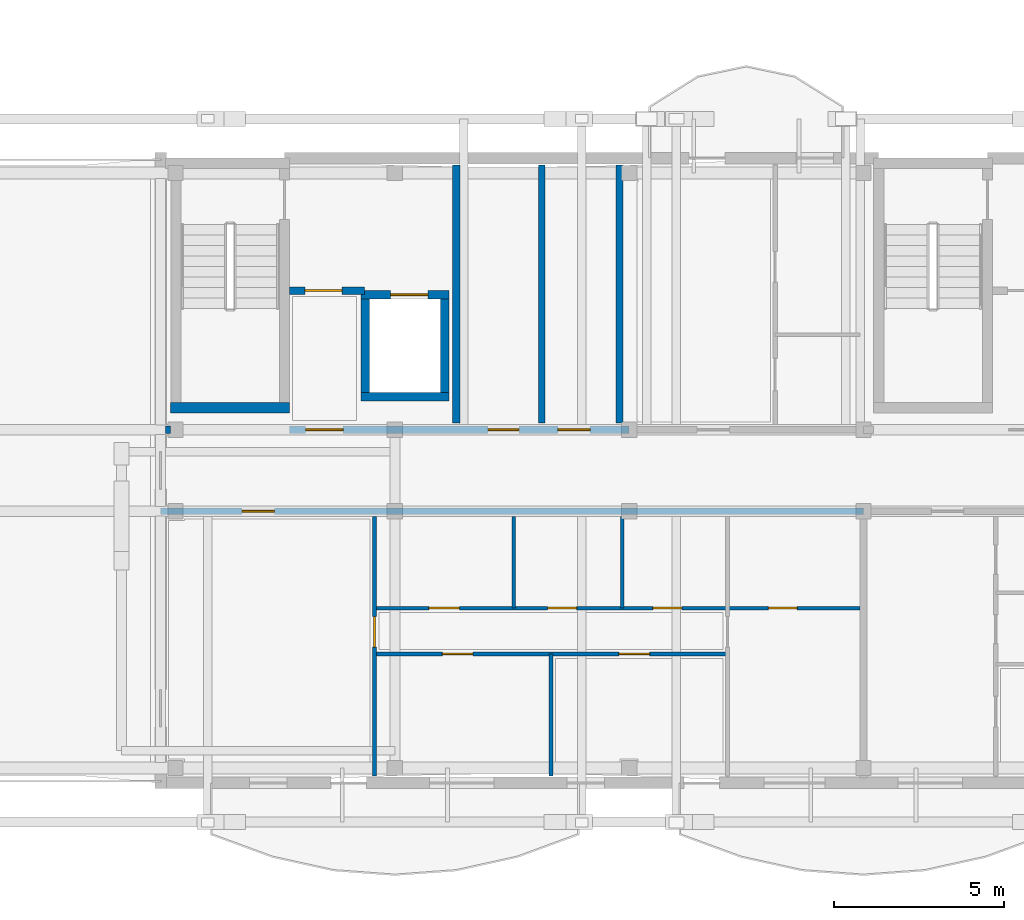
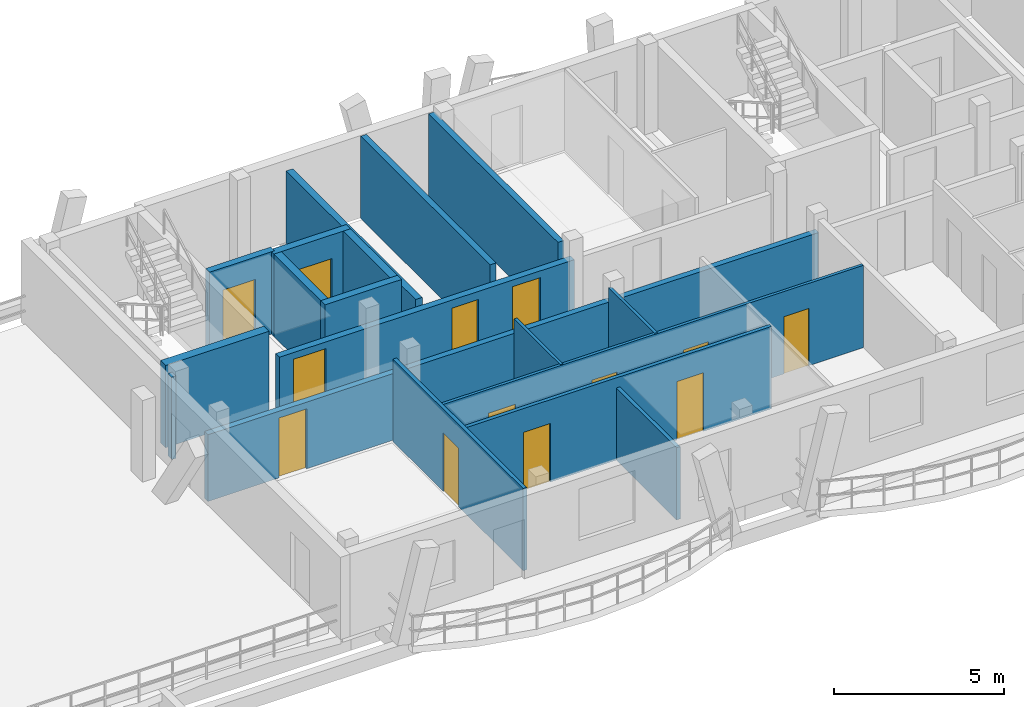
# One storey, part 28 of 48: 18 walls, 13 doors, 13 openings.
"""IFC4 building model written with IfcOpenShell, lengths in metres."""

import ifcopenshell
import ifcopenshell.guid

model = None  # the IFC model being written
_history = None  # IfcOwnerHistory: only IFC2X3 demands one
_inside = {}  # id of a spatial element -> (the spatial element, [elements in it])
_under = {}  # id of a project, library or spatial element -> (it, [spatial elements below it])
_declared = {}  # id of a project -> (the project, [libraries it declares])
_typed = {}  # id of a type object -> (the type object, [elements of that type])
_made_of = {}  # id of a material, layer set ... -> (it, [elements and type objects made of it])


def new_model(schema):
    """Start an empty IFC model of exactly this schema.

    Asked for "IFC4X3", IfcOpenShell would pick the latest addendum, in which some entities
    have other attributes; the version numbers below select the first issue.
    IFC2X3 requires an IfcOwnerHistory on every rooted entity: one is made here for all.
    """
    global model, _history
    if schema == "IFC4X3":
        model = ifcopenshell.file(schema_version=(4, 3, 0, 0))
    else:
        model = ifcopenshell.file(schema=schema)
    _inside.clear()
    _under.clear()
    _declared.clear()
    _typed.clear()
    _made_of.clear()
    _history = None
    if model.schema == "IFC2X3":
        org = make("IfcOrganization", Name="unknown")
        user = make(
            "IfcPersonAndOrganization",
            ThePerson=make("IfcPerson", FamilyName="unknown"),
            TheOrganization=org,
        )
        app = make(
            "IfcApplication",
            ApplicationDeveloper=org,
            Version="unknown",
            ApplicationFullName="unknown",
            ApplicationIdentifier="unknown",
        )
        _history = make(
            "IfcOwnerHistory",
            OwningUser=user,
            OwningApplication=app,
            ChangeAction="ADDED",
            CreationDate=0,
        )
    return model


def make(cls, **values):
    """One entity of the class cls with the attributes given. An attribute that is None is left unset."""
    return model.create_entity(
        cls, **{name: value for name, value in values.items() if value is not None}
    )


def rooted(cls, **values):
    """An entity with a GlobalId (a new one), such as an element, a storey or a relation."""
    return make(cls, GlobalId=ifcopenshell.guid.new(), OwnerHistory=_history, **values)


def si_unit(unit_type, name, prefix=None):
    """IfcSIUnit, for example si_unit("LENGTHUNIT", "METRE", prefix="MILLI")."""
    return make("IfcSIUnit", UnitType=unit_type, Prefix=prefix, Name=name)


def assignment(units):
    """IfcUnitAssignment: the units of a project."""
    return None if units is None else make("IfcUnitAssignment", Units=units)


def point(xyz):
    """IfcCartesianPoint."""
    return None if xyz is None else make("IfcCartesianPoint", Coordinates=xyz)


def direction(xyz):
    """IfcDirection."""
    return None if xyz is None else make("IfcDirection", DirectionRatios=xyz)


def frame(location, z_axis=None, x_axis=None):
    """IfcAxis2Placement3D, a coordinate frame: its origin and axes. An axis left out is left unset."""
    return make(
        "IfcAxis2Placement3D",
        Location=point(location),
        Axis=direction(z_axis),
        RefDirection=direction(x_axis),
    )


def frame_2d(location, x_axis=None):
    """IfcAxis2Placement2D, a coordinate frame in the plane: its origin and x axis."""
    return make(
        "IfcAxis2Placement2D", Location=point(location), RefDirection=direction(x_axis)
    )


def origin():
    """The frame at (0, 0, 0) with its axes left unset."""
    return frame((0.0, 0.0, 0.0))


def origin_with_axes():
    """The frame at (0, 0, 0) with the z axis (0, 0, 1) and the x axis (1, 0, 0) written out."""
    return frame((0.0, 0.0, 0.0), z_axis=(0.0, 0.0, 1.0), x_axis=(1.0, 0.0, 0.0))


def place(relative_to, where):
    """IfcLocalPlacement: puts the frame where relative to a parent placement (None: the world)."""
    return make(
        "IfcLocalPlacement", PlacementRelTo=relative_to, RelativePlacement=where
    )


def context(
    kind, dimensions, precision=None, world=None, true_north=None, identifier=None
):
    """IfcGeometricRepresentationContext, for example the 3D "Model" context."""
    return make(
        "IfcGeometricRepresentationContext",
        ContextIdentifier=identifier,
        ContextType=kind,
        CoordinateSpaceDimension=dimensions,
        Precision=precision,
        WorldCoordinateSystem=world,
        TrueNorth=true_north,
    )


def subcontext(parent, identifier, kind, view, scale=None):
    """IfcGeometricRepresentationSubContext, for example "Body" below "Model"."""
    return make(
        "IfcGeometricRepresentationSubContext",
        ContextIdentifier=identifier,
        ContextType=kind,
        ParentContext=parent,
        TargetScale=scale,
        TargetView=view,
    )


def project(units=None, contexts=None):
    """IfcProject with its units and contexts."""
    return rooted(
        "IfcProject",
        Name="project",
        RepresentationContexts=contexts,
        UnitsInContext=assignment(units),
    )


def spatial(cls, under=None, at=None, **own):
    """A site, building, storey or space (cls), placed at a placement, below another one or the project."""
    s = rooted(cls, ObjectPlacement=at, **own)
    if under is not None:
        _under.setdefault(under.id(), (under, []))[1].append(s)
    return s


def profile(cls, at=None, kind="AREA", **sizes):
    """A parametric profile (cls). Its sizes go by their IFC names, for example OverallWidth=200.0."""
    return make(cls, ProfileType=kind, Position=at, **sizes)


def rectangle(**sizes):
    """IfcRectangleProfileDef."""
    return profile("IfcRectangleProfileDef", **sizes)


def extrude(swept, where, along, depth):
    """IfcExtrudedAreaSolid: the profile swept, set in the frame where, extruded along a direction by depth."""
    return make(
        "IfcExtrudedAreaSolid",
        SweptArea=swept,
        Position=where,
        ExtrudedDirection=direction(along),
        Depth=depth,
    )


def shape(context_of_items, identifier, shape_type, items):
    """IfcShapeRepresentation: the items that make up one representation, for example the "Body"."""
    return make(
        "IfcShapeRepresentation",
        ContextOfItems=context_of_items,
        RepresentationIdentifier=identifier,
        RepresentationType=shape_type,
        Items=items,
    )


def material(Name=None, Category=None):
    """IfcMaterial."""
    return make("IfcMaterial", Name=Name, Category=Category)


def layer(
    of_material, thickness, ventilated=None, Name=None, Category=None, Priority=None
):
    """IfcMaterialLayer: one layer of a wall or slab, of a material (None: an air gap)."""
    return make(
        "IfcMaterialLayer",
        Material=of_material,
        LayerThickness=thickness,
        IsVentilated=ventilated,
        Name=Name,
        Category=Category,
        Priority=Priority,
    )


def layer_set(layers, Name=None):
    """IfcMaterialLayerSet."""
    return make("IfcMaterialLayerSet", MaterialLayers=layers, LayerSetName=Name)


def made_of(thing, what):
    """Note that an element or type object is made of a material, layer set ...; save() writes the relation."""
    if what is not None:
        _made_of.setdefault(what.id(), (what, []))[1].append(thing)
    return thing


def type_object(cls, material=None, **own):
    """A type object (cls), such as IfcWallType, which elements share."""
    return made_of(rooted(cls, **own), material)


def element(
    cls,
    number,
    at=None,
    inside=None,
    cuts=None,
    type_object=None,
    material=None,
    context=None,
    identifier="Body",
    shape_type=None,
    held_by="IfcProductDefinitionShape",
    body=None,
    shapes=None,
    **own,
):
    """One element of the class cls, such as IfcWall. Its Tag is "e" and its number.

    at: its placement. inside: the storey or other place that contains it. cuts: it is an
    opening in that element (IfcRelVoidsElement). A single representation is given by context,
    identifier, shape_type and body (its items); several are given by shapes. held_by: the class
    of the entity that holds the representations. save() writes the other relations.
    """
    e = rooted(cls, Tag="e%d" % number, ObjectPlacement=at, **own)
    if body is not None:
        shapes = [shape(context, identifier, shape_type, body)]
    if shapes is not None:
        e.Representation = make(held_by, Representations=shapes)
    if inside is not None:
        _inside.setdefault(inside.id(), (inside, []))[1].append(e)
    if cuts is not None:
        rooted(
            "IfcRelVoidsElement", RelatingBuildingElement=cuts, RelatedOpeningElement=e
        )
    if type_object is not None:
        _typed.setdefault(type_object.id(), (type_object, []))[1].append(e)
    return made_of(e, material)


def fill(opening, filler):
    """IfcRelFillsElement: the door or window that sits in an opening."""
    return rooted(
        "IfcRelFillsElement",
        RelatingOpeningElement=opening,
        RelatedBuildingElement=filler,
    )


def aggregate(whole, parts):
    """IfcRelAggregates: a whole, such as a stair, and the parts it consists of."""
    return rooted("IfcRelAggregates", RelatingObject=whole, RelatedObjects=parts)


def save(model, path):
    """Write the relations noted so far, then the file.

    IfcRelAggregates (storeys below a building ...), IfcRelContainedInSpatialStructure (elements
    in a storey), IfcRelDefinesByType, IfcRelAssociatesMaterial and IfcRelDeclares: one each for
    every whole, place, type object, material and project.
    """
    for whole, parts in _under.values():
        aggregate(whole, parts)
    for where, things in _inside.values():
        rooted(
            "IfcRelContainedInSpatialStructure",
            RelatedElements=things,
            RelatingStructure=where,
        )
    for kind, things in _typed.values():
        rooted("IfcRelDefinesByType", RelatedObjects=things, RelatingType=kind)
    for what, things in _made_of.values():
        rooted("IfcRelAssociatesMaterial", RelatedObjects=things, RelatingMaterial=what)
    for by, libraries in _declared.values():
        rooted("IfcRelDeclares", RelatingContext=by, RelatedDefinitions=libraries)
    model.write(path)


model = new_model("IFC4")

# Units and contexts
model_context = context("Model", 3, precision=1e-05, world=origin(), true_north=direction((0.0, 1.0)))
body_context = subcontext(model_context, "Body", "Model", "MODEL_VIEW")
ifc_project = project(units=[si_unit("LENGTHUNIT", "METRE"), si_unit("AREAUNIT", "SQUARE_METRE"), si_unit("VOLUMEUNIT", "CUBIC_METRE"), si_unit("PLANEANGLEUNIT", "RADIAN"), si_unit("MASSUNIT", "GRAM", prefix="KILO")], contexts=[model_context])

# Site, building, storey
site_placement = place(None, origin())
site = spatial("IfcSite", under=ifc_project, at=site_placement, CompositionType="ELEMENT")
building_placement = place(site_placement, origin())
building = spatial("IfcBuilding", under=site, at=building_placement, Name="Zavelmont Quarter", CompositionType="ELEMENT")
storey_placement = place(building_placement, frame((0.0, 0.0, 17.60009765625)))
storey = spatial("IfcBuildingStorey", under=building, at=storey_placement, Name="L05", CompositionType="ELEMENT", Elevation=17.60009765625)

# Walls
ifc_material_1 = material(Name="Calcium-silicate blockwork and acoustic plaster", Category="masonry")
ifc_layer_1 = layer(ifc_material_1, 0.199951171875)
ifc_layer_set_1 = layer_set([ifc_layer_1], Name="Calcium-silicate blockwork and acoustic plaster")
wall_type_1 = type_object("IfcWallType", Name="IW01", PredefinedType="PARTITIONING", material=ifc_layer_set_1)
for number, where, z_axis, x_axis, name in (
    (1, (137.824951171875, 10.60009765625, 0.0), (0.0, 0.0, 1.0), (0.0, 1.0, 0.0), "L05 Service riser divider wall IW01"),
    (2, (140.1201171875, 10.60009765625, 0.0), (0.0, 0.0, 1.0), (0.0, 1.0, 0.0), "L05 Core service end wall IW01"),
):
    element("IfcWall", number, at=place(storey_placement, frame(where, z_axis=z_axis, x_axis=x_axis)), inside=storey, type_object=wall_type_1, Name=name, PredefinedType="PARTITIONING", context=body_context, shape_type="SweptSolid", body=[
        extrude(rectangle(XDim=7.599853515625, YDim=0.199951171875, at=frame_2d((3.7998046875, 0.0))), origin(), (0.0, 0.0, 1.0), 2.949951171875),
    ])

# Wall, opening, door
wall_1_placement = place(storey_placement, frame((126.60009765625, 8.0, 0.0), z_axis=(0.0, 0.0, 1.0), x_axis=(1.0, 0.0, 0.0)))
wall_1 = element("IfcWall", 3, at=wall_1_placement, inside=storey, type_object=wall_type_1, Name="L05 Corridor compartment wall IW01", PredefinedType="PARTITIONING", context=body_context, shape_type="SweptSolid", body=[
    extrude(rectangle(XDim=20.699951171875, YDim=0.199951171875, at=frame_2d((10.35009765625, 0.0))), origin(), (0.0, 0.0, 1.0), 2.389892578125),
])
opening_1_placement = place(wall_1_placement, frame((2.39990234375, 0.0, 0.0)))
opening_1 = element("IfcOpeningElement", 4, at=opening_1_placement, cuts=wall_1, Name="Opening DR02", PredefinedType="OPENING", context=body_context, shape_type="SweptSolid", body=[
    extrude(rectangle(XDim=0.949951171875, YDim=2.14990234375, at=frame_2d((0.47509765625, 1.074951171875))), frame((0.0, 0.11181640625, 0.0), z_axis=(0.0, -1.0, 0.0), x_axis=(1.0, 0.0, 0.0)), (0.0, 0.0, 1.0), 0.223876953125),
])
ifc_material_2 = material(Name="Solid-core oak fire leaf in steel frame", Category="steel")
door_type_1 = type_object("IfcDoorType", Name="DR02", OperationType="NOTDEFINED", PredefinedType="DOOR", material=ifc_material_2)
door_1_placement = place(opening_1_placement, frame((0.949951171875, 0.0, 0.0), z_axis=(0.0, 0.0, 1.0), x_axis=(-1.0, 0.0, 0.0)))
door_1 = element("IfcDoor", 5, at=door_1_placement, inside=storey, type_object=door_type_1, Name="L05 door DR02", OperationType="SINGLE_SWING_LEFT", OverallHeight=2.14990234375, OverallWidth=0.949951171875, PredefinedType="DOOR", context=body_context, shape_type="SweptSolid", body=[
    extrude(rectangle(XDim=0.949951171875, YDim=2.14990234375, at=frame_2d((0.47509765625, 1.074951171875))), frame((0.0, 0.02490234375, 0.0), z_axis=(0.0, -1.0, 0.0), x_axis=(1.0, 0.0, 0.0)), (0.0, 0.0, 1.0), 0.050048828125),
])
fill(opening_1, door_1)

# Wall
ifc_material_3 = material(Name="Reinforced masonry fire compartment wall", Category="masonry")
ifc_layer_2 = layer(ifc_material_3, 0.22509765625)
ifc_layer_set_2 = layer_set([ifc_layer_2], Name="Reinforced masonry fire compartment wall")
wall_type_2 = type_object("IfcWallType", Name="IW02", PredefinedType="PARTITIONING", material=ifc_layer_set_2)
wall_2_placement = place(storey_placement, frame((135.31005859375, 10.60009765625, 0.0), z_axis=(0.0, 0.0, 1.0), x_axis=(0.0, 1.0, 0.0)))
element("IfcWall", 6, at=wall_2_placement, inside=storey, type_object=wall_type_2, Name="L05 Firefighting lobby enclosure wall IW02", PredefinedType="PARTITIONING", context=body_context, shape_type="SweptSolid", body=[
    extrude(rectangle(XDim=7.599853515625, YDim=0.22509765625, at=frame_2d((3.7998046875, 0.0))), origin(), (0.0, 0.0, 1.0), 2.58984375),
])

# Wall, opening, door
wall_3_placement = place(storey_placement, frame((130.39990234375, 14.5, 0.0), z_axis=(0.0, 0.0, 1.0), x_axis=(1.0, 0.0, 0.0)))
wall_3 = element("IfcWall", 7, at=wall_3_placement, inside=storey, type_object=wall_type_2, Name="L05 Firefighting lobby threshold wall IW02", PredefinedType="PARTITIONING", context=body_context, shape_type="SweptSolid", body=[
    extrude(rectangle(XDim=2.2001953125, YDim=0.22509765625, at=frame_2d((1.10009765625, 0.0))), origin(), (0.0, 0.0, 1.0), 2.949951171875),
])
opening_2_placement = place(wall_3_placement, frame((0.449951171875, 0.0, 0.0)))
opening_2 = element("IfcOpeningElement", 8, at=opening_2_placement, cuts=wall_3, Name="Opening DR10", PredefinedType="OPENING", context=body_context, shape_type="SweptSolid", body=[
    extrude(rectangle(XDim=1.10009765625, YDim=2.14990234375, at=frame_2d((0.550048828125, 1.074951171875))), frame((0.0, 0.12451171875, 0.0), z_axis=(0.0, -1.0, 0.0), x_axis=(1.0, 0.0, 0.0)), (0.0, 0.0, 1.0), 0.2490234375),
])
ifc_material_4 = material(Name="Painted steel lobby fire door", Category="steel")
door_type_2 = type_object("IfcDoorType", Name="DR10", OperationType="NOTDEFINED", PredefinedType="DOOR", material=ifc_material_4)
door_2_placement = place(opening_2_placement, origin_with_axes())
door_2 = element("IfcDoor", 9, at=door_2_placement, inside=storey, type_object=door_type_2, Name="Firefighting lobby fire door", OperationType="SINGLE_SWING_LEFT", OverallHeight=2.14990234375, OverallWidth=1.10009765625, PredefinedType="DOOR", context=body_context, shape_type="SweptSolid", body=[
    extrude(rectangle(XDim=1.10009765625, YDim=2.14990234375, at=frame_2d((0.550048828125, 1.074951171875))), frame((0.0, 0.02490234375, 0.0), z_axis=(0.0, -1.0, 0.0), x_axis=(1.0, 0.0, 0.0)), (0.0, 0.0, 1.0), 0.050048828125),
])
fill(opening_2, door_2)

# Wall
wall_4_placement = place(storey_placement, frame((126.75, 10.39990234375, 0.0), z_axis=(0.0, 0.0, 1.0), x_axis=(1.0, 0.0, 0.0)))
element("IfcWall", 10, at=wall_4_placement, inside=storey, type_object=wall_type_2, Name="L05 Core corridor wall IW02", PredefinedType="PARTITIONING", context=body_context, shape_type="SweptSolid", body=[
    extrude(rectangle(XDim=0.14990234375, YDim=0.22509765625, at=frame_2d((0.074951171875, 0.0))), origin(), (0.0, 0.0, 1.0), 2.949951171875),
])

# Wall, openings, doors
wall_5_placement = place(storey_placement, frame((130.39990234375, 10.39990234375, 0.0), z_axis=(0.0, 0.0, 1.0), x_axis=(1.0, 0.0, 0.0)))
wall_5 = element("IfcWall", 11, at=wall_5_placement, inside=storey, type_object=wall_type_2, Name="L05 Core corridor fire wall IW02", PredefinedType="PARTITIONING", context=body_context, shape_type="SweptSolid", body=[
    extrude(rectangle(XDim=10.0, YDim=0.22509765625, at=frame_2d((5.0, 0.0))), origin(), (0.0, 0.0, 1.0), 2.389892578125),
])
opening_3_placement = place(wall_5_placement, frame((0.47509765625, 0.0, 0.0)))
opening_3 = element("IfcOpeningElement", 12, at=opening_3_placement, cuts=wall_5, Name="Opening DR10", PredefinedType="OPENING", context=body_context, shape_type="SweptSolid", body=[
    extrude(rectangle(XDim=1.10009765625, YDim=2.14990234375, at=frame_2d((0.550048828125, 1.074951171875))), frame((0.0, 0.12451171875, 0.0), z_axis=(0.0, -1.0, 0.0), x_axis=(1.0, 0.0, 0.0)), (0.0, 0.0, 1.0), 0.2490234375),
])
opening_4_placement = place(wall_5_placement, frame((5.85009765625, 0.0, 0.0)))
opening_4 = element("IfcOpeningElement", 13, at=opening_4_placement, cuts=wall_5, Name="Opening DR11", PredefinedType="OPENING", context=body_context, shape_type="SweptSolid", body=[
    extrude(rectangle(XDim=0.89990234375, YDim=2.10009765625, at=frame_2d((0.449951171875, 1.050048828125))), frame((0.0, 0.12451171875, 0.0), z_axis=(0.0, -1.0, 0.0), x_axis=(1.0, 0.0, 0.0)), (0.0, 0.0, 1.0), 0.2490234375),
])
opening_5_placement = place(wall_5_placement, frame((7.89990234375, 0.0, 0.0)))
opening_5 = element("IfcOpeningElement", 14, at=opening_5_placement, cuts=wall_5, Name="Opening DR02", PredefinedType="OPENING", context=body_context, shape_type="SweptSolid", body=[
    extrude(rectangle(XDim=0.949951171875, YDim=2.14990234375, at=frame_2d((0.47509765625, 1.074951171875))), frame((0.0, 0.12451171875, 0.0), z_axis=(0.0, -1.0, 0.0), x_axis=(1.0, 0.0, 0.0)), (0.0, 0.0, 1.0), 0.2490234375),
])
door_3_placement = place(opening_5_placement, frame((0.949951171875, 0.0, 0.0), z_axis=(0.0, 0.0, 1.0), x_axis=(-1.0, 0.0, 0.0)))
door_3 = element("IfcDoor", 15, at=door_3_placement, inside=storey, type_object=door_type_1, Name="Auxiliary store corridor door", OperationType="SINGLE_SWING_RIGHT", OverallHeight=2.14990234375, OverallWidth=0.949951171875, PredefinedType="DOOR", context=body_context, shape_type="SweptSolid", body=[
    extrude(rectangle(XDim=0.949951171875, YDim=2.14990234375, at=frame_2d((0.47509765625, 1.074951171875))), frame((0.0, 0.02490234375, 0.0), z_axis=(0.0, -1.0, 0.0), x_axis=(1.0, 0.0, 0.0)), (0.0, 0.0, 1.0), 0.050048828125),
])
fill(opening_5, door_3)
door_4_placement = place(opening_3_placement, origin_with_axes())
door_4 = element("IfcDoor", 16, at=door_4_placement, inside=storey, type_object=door_type_2, Name="Core vestibule fire door", OperationType="SINGLE_SWING_RIGHT", OverallHeight=2.14990234375, OverallWidth=1.10009765625, PredefinedType="DOOR", context=body_context, shape_type="SweptSolid", body=[
    extrude(rectangle(XDim=1.10009765625, YDim=2.14990234375, at=frame_2d((0.550048828125, 1.074951171875))), frame((0.0, 0.02490234375, 0.0), z_axis=(0.0, -1.0, 0.0), x_axis=(1.0, 0.0, 0.0)), (0.0, 0.0, 1.0), 0.050048828125),
])
fill(opening_3, door_4)
ifc_material_5 = material(Name="Painted steel service-riser fire door", Category="steel")
door_type_3 = type_object("IfcDoorType", Name="DR11", OperationType="NOTDEFINED", PredefinedType="DOOR", material=ifc_material_5)
door_5_placement = place(opening_4_placement, frame((0.89990234375, 0.0, 0.0), z_axis=(0.0, 0.0, 1.0), x_axis=(-1.0, 0.0, 0.0)))
door_5 = element("IfcDoor", 17, at=door_5_placement, inside=storey, type_object=door_type_3, Name="Service riser fire door", OperationType="SINGLE_SWING_LEFT", OverallHeight=2.10009765625, OverallWidth=0.89990234375, PredefinedType="DOOR", context=body_context, shape_type="SweptSolid", body=[
    extrude(rectangle(XDim=0.89990234375, YDim=2.10009765625, at=frame_2d((0.449951171875, 1.050048828125))), frame((0.0, 0.02490234375, 0.0), z_axis=(0.0, -1.0, 0.0), x_axis=(1.0, 0.0, 0.0)), (0.0, 0.0, 1.0), 0.050048828125),
])
fill(opening_4, door_5)

# Wall, opening, door
ifc_material_6 = material(Name="Double gypsum board on acoustic steel stud", Category="steel")
ifc_layer_3 = layer(ifc_material_6, 0.125)
ifc_layer_set_3 = layer_set([ifc_layer_3], Name="Double gypsum board on acoustic steel stud")
wall_type_3 = type_object("IfcWallType", Name="IW03", PredefinedType="PARTITIONING", material=ifc_layer_set_3)
wall_6_placement = place(storey_placement, frame((132.89990234375, 7.85009765625, 0.0), z_axis=(0.0, 0.0, 1.0), x_axis=(0.0, -1.0, 0.0)))
wall_6 = element("IfcWall", 18, at=wall_6_placement, inside=storey, type_object=wall_type_3, Name="L05 Partition IW03", PredefinedType="PARTITIONING", context=body_context, shape_type="SweptSolid", body=[
    extrude(rectangle(XDim=7.650146484375, YDim=0.125, at=frame_2d((3.8251953125, 0.0))), origin(), (0.0, 0.0, 1.0), 2.949951171875),
])
opening_6_placement = place(wall_6_placement, frame((2.949951171875, 0.0, 0.0)))
opening_6 = element("IfcOpeningElement", 19, at=opening_6_placement, cuts=wall_6, Name="Opening DR05", PredefinedType="OPENING", context=body_context, shape_type="SweptSolid", body=[
    extrude(rectangle(XDim=0.89990234375, YDim=2.10009765625, at=frame_2d((0.449951171875, 1.050048828125))), frame((0.0, 0.074462890625, 0.0), z_axis=(0.0, -1.0, 0.0), x_axis=(1.0, 0.0, 0.0)), (0.0, 0.0, 1.0), 0.14892578125),
])
ifc_material_7 = material(Name="Engineered oak flush interior door")
door_type_4 = type_object("IfcDoorType", Name="DR05", OperationType="NOTDEFINED", PredefinedType="DOOR", material=ifc_material_7)
door_6_placement = place(opening_6_placement, frame((0.89990234375, 0.0, 0.0), z_axis=(0.0, 0.0, 1.0), x_axis=(-1.0, 0.0, 0.0)))
door_6 = element("IfcDoor", 20, at=door_6_placement, inside=storey, type_object=door_type_4, Name="L05 door DR05", OperationType="SINGLE_SWING_LEFT", OverallHeight=2.10009765625, OverallWidth=0.89990234375, PredefinedType="DOOR", context=body_context, shape_type="SweptSolid", body=[
    extrude(rectangle(XDim=0.89990234375, YDim=2.10009765625, at=frame_2d((0.449951171875, 1.050048828125))), frame((0.0, 0.02490234375, 0.0), z_axis=(0.0, -1.0, 0.0), x_axis=(1.0, 0.0, 0.0)), (0.0, 0.0, 1.0), 0.050048828125),
])
fill(opening_6, door_6)

# Wall
wall_7_placement = place(storey_placement, frame((138.10009765625, 3.800048828125, 0.0), z_axis=(0.0, 0.0, 1.0), x_axis=(0.0, -1.0, 0.0)))
element("IfcWall", 21, at=wall_7_placement, inside=storey, type_object=wall_type_3, Name="L05 Partition IW03", PredefinedType="PARTITIONING", context=body_context, shape_type="SweptSolid", body=[
    extrude(rectangle(XDim=3.60009765625, YDim=0.125, at=frame_2d((1.800048828125, 0.0))), origin(), (0.0, 0.0, 1.0), 2.58984375),
])

# Wall, openings, doors
wall_8_placement = place(storey_placement, frame((132.89990234375, 3.800048828125, 0.0), z_axis=(0.0, 0.0, 1.0), x_axis=(1.0, 0.0, 0.0)))
wall_8 = element("IfcWall", 22, at=wall_8_placement, inside=storey, type_object=wall_type_3, Name="L05 Partition IW03", PredefinedType="PARTITIONING", context=body_context, shape_type="SweptSolid", body=[
    extrude(rectangle(XDim=10.400146484375, YDim=0.125, at=frame_2d((5.2001953125, 0.0))), origin(), (0.0, 0.0, 1.0), 2.949951171875),
])
opening_7_placement = place(wall_8_placement, frame((2.0, 0.0, 0.0)))
opening_7 = element("IfcOpeningElement", 23, at=opening_7_placement, cuts=wall_8, Name="Opening DR05", PredefinedType="OPENING", context=body_context, shape_type="SweptSolid", body=[
    extrude(rectangle(XDim=0.89990234375, YDim=2.10009765625, at=frame_2d((0.449951171875, 1.050048828125))), frame((0.0, 0.074462890625, 0.0), z_axis=(0.0, -1.0, 0.0), x_axis=(1.0, 0.0, 0.0)), (0.0, 0.0, 1.0), 0.14892578125),
])
opening_8_placement = place(wall_8_placement, frame((7.199951171875, 0.0, 0.0)))
opening_8 = element("IfcOpeningElement", 24, at=opening_8_placement, cuts=wall_8, Name="Opening DR05", PredefinedType="OPENING", context=body_context, shape_type="SweptSolid", body=[
    extrude(rectangle(XDim=0.89990234375, YDim=2.10009765625, at=frame_2d((0.449951171875, 1.050048828125))), frame((0.0, 0.074462890625, 0.0), z_axis=(0.0, -1.0, 0.0), x_axis=(1.0, 0.0, 0.0)), (0.0, 0.0, 1.0), 0.14892578125),
])
door_7_placement = place(opening_7_placement, frame((0.89990234375, 0.0, 0.0), z_axis=(0.0, 0.0, 1.0), x_axis=(-1.0, 0.0, 0.0)))
door_7 = element("IfcDoor", 25, at=door_7_placement, inside=storey, type_object=door_type_4, Name="L05 door DR05", OperationType="SINGLE_SWING_LEFT", OverallHeight=2.10009765625, OverallWidth=0.89990234375, PredefinedType="DOOR", context=body_context, shape_type="SweptSolid", body=[
    extrude(rectangle(XDim=0.89990234375, YDim=2.10009765625, at=frame_2d((0.449951171875, 1.050048828125))), frame((0.0, 0.02490234375, 0.0), z_axis=(0.0, -1.0, 0.0), x_axis=(1.0, 0.0, 0.0)), (0.0, 0.0, 1.0), 0.050048828125),
])
fill(opening_7, door_7)
door_8_placement = place(opening_8_placement, origin_with_axes())
door_8 = element("IfcDoor", 26, at=door_8_placement, inside=storey, type_object=door_type_4, Name="L05 door DR05", OperationType="SINGLE_SWING_RIGHT", OverallHeight=2.10009765625, OverallWidth=0.89990234375, PredefinedType="DOOR", context=body_context, shape_type="SweptSolid", body=[
    extrude(rectangle(XDim=0.89990234375, YDim=2.10009765625, at=frame_2d((0.449951171875, 1.050048828125))), frame((0.0, 0.02490234375, 0.0), z_axis=(0.0, -1.0, 0.0), x_axis=(1.0, 0.0, 0.0)), (0.0, 0.0, 1.0), 0.050048828125),
])
fill(opening_8, door_8)

# Walls
ifc_material_8 = material(Name="Moisture-resistant gypsum board on steel stud", Category="steel")
ifc_layer_4 = layer(ifc_material_8, 0.10009765625)
ifc_layer_set_4 = layer_set([ifc_layer_4], Name="Moisture-resistant gypsum board on steel stud")
wall_type_4 = type_object("IfcWallType", Name="IW04", PredefinedType="PARTITIONING", material=ifc_layer_set_4)
for number, where, z_axis, x_axis, name in (
    (27, (137.0, 7.85009765625, 0.0), (0.0, 0.0, 1.0), (0.0, -1.0, 0.0), "L05 Partition IW04"),
    (28, (140.199951171875, 7.85009765625, 0.0), (0.0, 0.0, 1.0), (0.0, -1.0, 0.0), "L05 Partition IW04"),
):
    element("IfcWall", number, at=place(storey_placement, frame(where, z_axis=z_axis, x_axis=x_axis)), inside=storey, type_object=wall_type_4, Name=name, PredefinedType="PARTITIONING", context=body_context, shape_type="SweptSolid", body=[
        extrude(rectangle(XDim=2.7001953125, YDim=0.10009765625, at=frame_2d((1.35009765625, 0.0))), origin(), (0.0, 0.0, 1.0), 2.949951171875),
    ])

# Wall, openings, doors
wall_9_placement = place(storey_placement, frame((132.89990234375, 5.14990234375, 0.0), z_axis=(0.0, 0.0, 1.0), x_axis=(1.0, 0.0, 0.0)))
wall_9 = element("IfcWall", 29, at=wall_9_placement, inside=storey, type_object=wall_type_4, Name="L05 Partition IW04", PredefinedType="PARTITIONING", context=body_context, shape_type="SweptSolid", body=[
    extrude(rectangle(XDim=14.300048828125, YDim=0.10009765625, at=frame_2d((7.14990234375, 0.0))), origin(), (0.0, 0.0, 1.0), 2.949951171875),
])
opening_9_placement = place(wall_9_placement, frame((1.60009765625, 0.0, 0.0)))
opening_9 = element("IfcOpeningElement", 30, at=opening_9_placement, cuts=wall_9, Name="Opening DR05", PredefinedType="OPENING", context=body_context, shape_type="SweptSolid", body=[
    extrude(rectangle(XDim=0.89990234375, YDim=2.10009765625, at=frame_2d((0.449951171875, 1.050048828125))), frame((0.0, 0.06201171875, 0.0), z_axis=(0.0, -1.0, 0.0), x_axis=(1.0, 0.0, 0.0)), (0.0, 0.0, 1.0), 0.1240234375),
])
opening_10_placement = place(wall_9_placement, frame((5.10009765625, 0.0, 0.0)))
opening_10 = element("IfcOpeningElement", 31, at=opening_10_placement, cuts=wall_9, Name="Opening DR06", PredefinedType="OPENING", context=body_context, shape_type="SweptSolid", body=[
    extrude(rectangle(XDim=0.85009765625, YDim=2.050048828125, at=frame_2d((0.425048828125, 1.02490234375))), frame((0.0, 0.06201171875, 0.0), z_axis=(0.0, -1.0, 0.0), x_axis=(1.0, 0.0, 0.0)), (0.0, 0.0, 1.0), 0.1240234375),
])
opening_11_placement = place(wall_9_placement, frame((8.199951171875, 0.0, 0.0)))
opening_11 = element("IfcOpeningElement", 32, at=opening_11_placement, cuts=wall_9, Name="Opening DR06", PredefinedType="OPENING", context=body_context, shape_type="SweptSolid", body=[
    extrude(rectangle(XDim=0.85009765625, YDim=2.050048828125, at=frame_2d((0.425048828125, 1.02490234375))), frame((0.0, 0.06201171875, 0.0), z_axis=(0.0, -1.0, 0.0), x_axis=(1.0, 0.0, 0.0)), (0.0, 0.0, 1.0), 0.1240234375),
])
opening_12_placement = place(wall_9_placement, frame((11.60009765625, 0.0, 0.0)))
opening_12 = element("IfcOpeningElement", 33, at=opening_12_placement, cuts=wall_9, Name="Opening DR06", PredefinedType="OPENING", context=body_context, shape_type="SweptSolid", body=[
    extrude(rectangle(XDim=0.85009765625, YDim=2.050048828125, at=frame_2d((0.425048828125, 1.02490234375))), frame((0.0, 0.06201171875, 0.0), z_axis=(0.0, -1.0, 0.0), x_axis=(1.0, 0.0, 0.0)), (0.0, 0.0, 1.0), 0.1240234375),
])
door_9_placement = place(opening_9_placement, frame((0.89990234375, 0.0, 0.0), z_axis=(0.0, 0.0, 1.0), x_axis=(-1.0, 0.0, 0.0)))
door_9 = element("IfcDoor", 34, at=door_9_placement, inside=storey, type_object=door_type_4, Name="L05 door DR05", OperationType="SINGLE_SWING_LEFT", OverallHeight=2.10009765625, OverallWidth=0.89990234375, PredefinedType="DOOR", context=body_context, shape_type="SweptSolid", body=[
    extrude(rectangle(XDim=0.89990234375, YDim=2.10009765625, at=frame_2d((0.449951171875, 1.050048828125))), frame((0.0, 0.02490234375, 0.0), z_axis=(0.0, -1.0, 0.0), x_axis=(1.0, 0.0, 0.0)), (0.0, 0.0, 1.0), 0.050048828125),
])
fill(opening_9, door_9)
ifc_material_9 = material(Name="Moisture-resistant painted wet-room door")
door_type_5 = type_object("IfcDoorType", Name="DR06", OperationType="NOTDEFINED", PredefinedType="DOOR", material=ifc_material_9)
door_10_placement = place(opening_10_placement, origin_with_axes())
door_10 = element("IfcDoor", 35, at=door_10_placement, inside=storey, type_object=door_type_5, Name="L05 door DR06", OperationType="SINGLE_SWING_RIGHT", OverallHeight=2.050048828125, OverallWidth=0.85009765625, PredefinedType="DOOR", context=body_context, shape_type="SweptSolid", body=[
    extrude(rectangle(XDim=0.85009765625, YDim=2.050048828125, at=frame_2d((0.425048828125, 1.02490234375))), frame((0.0, 0.02490234375, 0.0), z_axis=(0.0, -1.0, 0.0), x_axis=(1.0, 0.0, 0.0)), (0.0, 0.0, 1.0), 0.050048828125),
])
fill(opening_10, door_10)
door_11_placement = place(opening_11_placement, frame((0.85009765625, 0.0, 0.0), z_axis=(0.0, 0.0, 1.0), x_axis=(-1.0, 0.0, 0.0)))
door_11 = element("IfcDoor", 36, at=door_11_placement, inside=storey, type_object=door_type_5, Name="L05 door DR06", OperationType="SINGLE_SWING_LEFT", OverallHeight=2.050048828125, OverallWidth=0.85009765625, PredefinedType="DOOR", context=body_context, shape_type="SweptSolid", body=[
    extrude(rectangle(XDim=0.85009765625, YDim=2.050048828125, at=frame_2d((0.425048828125, 1.02490234375))), frame((0.0, 0.02490234375, 0.0), z_axis=(0.0, -1.0, 0.0), x_axis=(1.0, 0.0, 0.0)), (0.0, 0.0, 1.0), 0.050048828125),
])
fill(opening_11, door_11)
door_12_placement = place(opening_12_placement, origin_with_axes())
door_12 = element("IfcDoor", 37, at=door_12_placement, inside=storey, type_object=door_type_5, Name="L05 door DR06", OperationType="SINGLE_SWING_RIGHT", OverallHeight=2.050048828125, OverallWidth=0.85009765625, PredefinedType="DOOR", context=body_context, shape_type="SweptSolid", body=[
    extrude(rectangle(XDim=0.85009765625, YDim=2.050048828125, at=frame_2d((0.425048828125, 1.02490234375))), frame((0.0, 0.02490234375, 0.0), z_axis=(0.0, -1.0, 0.0), x_axis=(1.0, 0.0, 0.0)), (0.0, 0.0, 1.0), 0.050048828125),
])
fill(opening_12, door_12)

# Wall
ifc_material_10 = material(Name="Concrete C40/50", Category="concrete")
ifc_layer_5 = layer(ifc_material_10, 0.300048828125)
ifc_layer_set_5 = layer_set([ifc_layer_5], Name="Concrete C40/50")
wall_type_5 = type_object("IfcWallType", Name="SW01", PredefinedType="SHEAR", material=ifc_layer_set_5)
wall_10_placement = place(storey_placement, frame((126.89990234375, 11.050048828125, 0.0), z_axis=(0.0, 0.0, 1.0), x_axis=(1.0, 0.0, 0.0)))
element("IfcWall", 38, at=wall_10_placement, inside=storey, type_object=wall_type_5, Name="L05 ST07 corridor shear wall SW01", PredefinedType="SHEAR", context=body_context, shape_type="SweptSolid", body=[
    extrude(rectangle(XDim=3.5, YDim=0.300048828125, at=frame_2d((1.75, 0.0))), origin(), (0.0, 0.0, 1.0), 2.949951171875),
])

# Wall, opening, door
ifc_layer_6 = layer(ifc_material_10, 0.25)
ifc_layer_set_6 = layer_set([ifc_layer_6], Name="Concrete C40/50")
wall_type_6 = type_object("IfcWallType", Name="SW02", PredefinedType="SHEAR", material=ifc_layer_set_6)
wall_11_placement = place(storey_placement, frame((132.5, 14.375, 0.0), z_axis=(0.0, 0.0, 1.0), x_axis=(1.0, 0.0, 0.0)))
wall_11 = element("IfcWall", 39, at=wall_11_placement, inside=storey, type_object=wall_type_6, Name="L05 Lift FL04 landing shaft wall SW02", PredefinedType="SHEAR", context=body_context, shape_type="SweptSolid", body=[
    extrude(rectangle(XDim=2.60009765625, YDim=0.25, at=frame_2d((1.300048828125, 0.0))), origin(), (0.0, 0.0, 1.0), 2.949951171875),
])
opening_13_placement = place(wall_11_placement, frame((0.875, 0.0, 0.0)))
opening_13 = element("IfcOpeningElement", 40, at=opening_13_placement, cuts=wall_11, Name="Opening LD02", PredefinedType="OPENING", context=body_context, shape_type="SweptSolid", body=[
    extrude(rectangle(XDim=1.10009765625, YDim=2.10009765625, at=frame_2d((0.550048828125, 1.050048828125))), frame((0.0, 0.136962890625, 0.0), z_axis=(0.0, -1.0, 0.0), x_axis=(1.0, 0.0, 0.0)), (0.0, 0.0, 1.0), 0.27392578125),
])
ifc_material_11 = material(Name="Brushed stainless-steel firefighting lift landing door", Category="steel")
door_type_6 = type_object("IfcDoorType", Name="LD02", OperationType="SLIDING_TO_LEFT", PredefinedType="DOOR", material=ifc_material_11)
door_13_placement = place(opening_13_placement, origin_with_axes())
door_13 = element("IfcDoor", 41, at=door_13_placement, inside=storey, type_object=door_type_6, Name="Lift FL04 sliding landing door", OperationType="SLIDING_TO_LEFT", OverallHeight=2.10009765625, OverallWidth=1.10009765625, PredefinedType="DOOR", context=body_context, shape_type="SweptSolid", body=[
    extrude(rectangle(XDim=1.10009765625, YDim=2.10009765625, at=frame_2d((0.550048828125, 1.050048828125))), frame((0.0, 0.02490234375, 0.0), z_axis=(0.0, -1.0, 0.0), x_axis=(1.0, 0.0, 0.0)), (0.0, 0.0, 1.0), 0.050048828125),
])
fill(opening_13, door_13)

# Walls
wall_12_placement = place(storey_placement, frame((132.5, 11.375, 0.0), z_axis=(0.0, 0.0, 1.0), x_axis=(1.0, 0.0, 0.0)))
element("IfcWall", 42, at=wall_12_placement, inside=storey, type_object=wall_type_6, Name="L05 Lift FL04 back shaft wall SW02", PredefinedType="SHEAR", context=body_context, shape_type="SweptSolid", body=[
    extrude(rectangle(XDim=2.60009765625, YDim=0.25, at=frame_2d((1.300048828125, 0.0))), origin(), (0.0, 0.0, 1.0), 2.949951171875),
])
for number, where, z_axis, x_axis, name in (
    (43, (132.625, 11.25, 0.0), (0.0, 0.0, 1.0), (0.0, 1.0, 0.0), "L05 Lift FL04 west shaft wall SW02"),
    (44, (134.97509765625, 11.25, 0.0), (0.0, 0.0, 1.0), (0.0, 1.0, 0.0), "L05 Lift FL04 east shaft wall SW02"),
):
    element("IfcWall", number, at=place(storey_placement, frame(where, z_axis=z_axis, x_axis=x_axis)), inside=storey, type_object=wall_type_6, Name=name, PredefinedType="SHEAR", context=body_context, shape_type="SweptSolid", body=[
        extrude(rectangle(XDim=3.25, YDim=0.25, at=frame_2d((1.625, 0.0))), origin(), (0.0, 0.0, 1.0), 2.949951171875),
    ])

save(model, "model.ifc")
